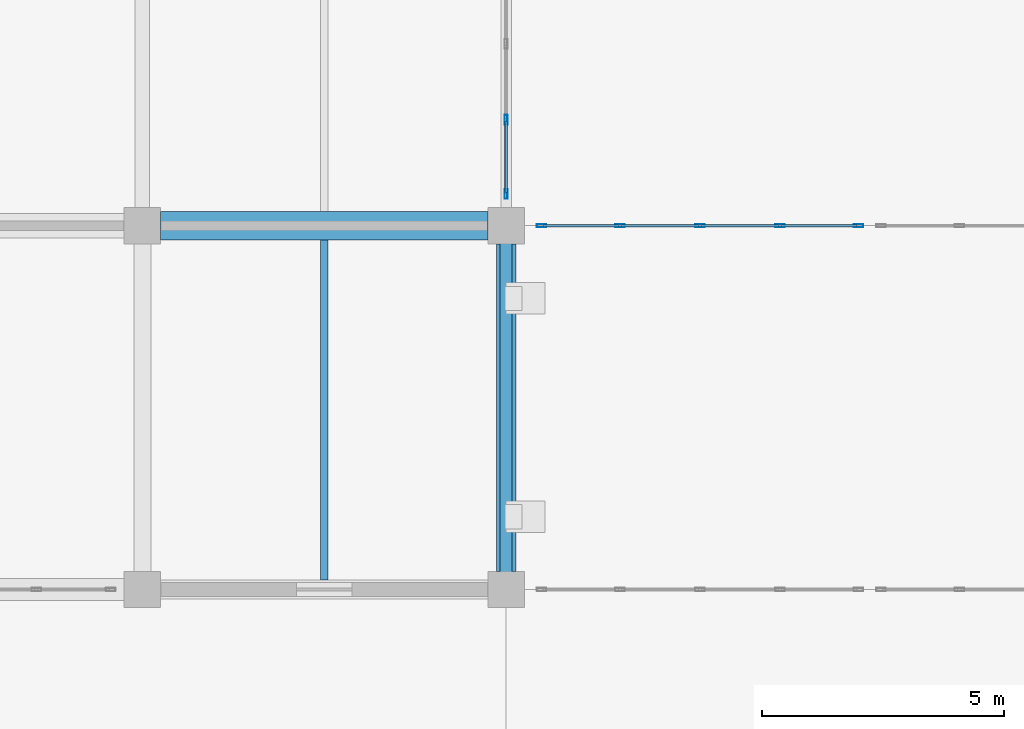
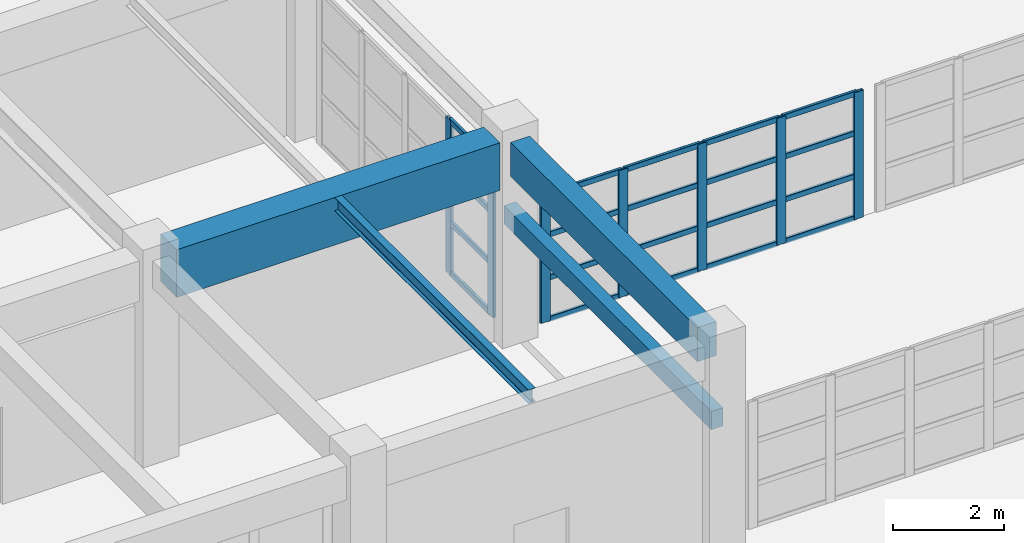
# One storey, part 37 of 122: 27 members, 4 beams, 2 elements without a shape of their own.
"""IFC4 building model written with IfcOpenShell, lengths in metres."""

import ifcopenshell
import ifcopenshell.guid

model = None  # the IFC model being written
_history = None  # IfcOwnerHistory: only IFC2X3 demands one
_inside = {}  # id of a spatial element -> (the spatial element, [elements in it])
_under = {}  # id of a project, library or spatial element -> (it, [spatial elements below it])
_declared = {}  # id of a project -> (the project, [libraries it declares])
_typed = {}  # id of a type object -> (the type object, [elements of that type])
_made_of = {}  # id of a material, layer set ... -> (it, [elements and type objects made of it])


def new_model(schema):
    """Start an empty IFC model of exactly this schema.

    Asked for "IFC4X3", IfcOpenShell would pick the latest addendum, in which some entities
    have other attributes; the version numbers below select the first issue.
    IFC2X3 requires an IfcOwnerHistory on every rooted entity: one is made here for all.
    """
    global model, _history
    if schema == "IFC4X3":
        model = ifcopenshell.file(schema_version=(4, 3, 0, 0))
    else:
        model = ifcopenshell.file(schema=schema)
    _inside.clear()
    _under.clear()
    _declared.clear()
    _typed.clear()
    _made_of.clear()
    _history = None
    if model.schema == "IFC2X3":
        org = make("IfcOrganization", Name="unknown")
        user = make(
            "IfcPersonAndOrganization",
            ThePerson=make("IfcPerson", FamilyName="unknown"),
            TheOrganization=org,
        )
        app = make(
            "IfcApplication",
            ApplicationDeveloper=org,
            Version="unknown",
            ApplicationFullName="unknown",
            ApplicationIdentifier="unknown",
        )
        _history = make(
            "IfcOwnerHistory",
            OwningUser=user,
            OwningApplication=app,
            ChangeAction="ADDED",
            CreationDate=0,
        )
    return model


def make(cls, **values):
    """One entity of the class cls with the attributes given. An attribute that is None is left unset."""
    return model.create_entity(
        cls, **{name: value for name, value in values.items() if value is not None}
    )


def rooted(cls, **values):
    """An entity with a GlobalId (a new one), such as an element, a storey or a relation."""
    return make(cls, GlobalId=ifcopenshell.guid.new(), OwnerHistory=_history, **values)


def si_unit(unit_type, name, prefix=None):
    """IfcSIUnit, for example si_unit("LENGTHUNIT", "METRE", prefix="MILLI")."""
    return make("IfcSIUnit", UnitType=unit_type, Prefix=prefix, Name=name)


def assignment(units):
    """IfcUnitAssignment: the units of a project."""
    return None if units is None else make("IfcUnitAssignment", Units=units)


def point(xyz):
    """IfcCartesianPoint."""
    return None if xyz is None else make("IfcCartesianPoint", Coordinates=xyz)


def direction(xyz):
    """IfcDirection."""
    return None if xyz is None else make("IfcDirection", DirectionRatios=xyz)


def frame(location, z_axis=None, x_axis=None):
    """IfcAxis2Placement3D, a coordinate frame: its origin and axes. An axis left out is left unset."""
    return make(
        "IfcAxis2Placement3D",
        Location=point(location),
        Axis=direction(z_axis),
        RefDirection=direction(x_axis),
    )


def frame_2d(location, x_axis=None):
    """IfcAxis2Placement2D, a coordinate frame in the plane: its origin and x axis."""
    return make(
        "IfcAxis2Placement2D", Location=point(location), RefDirection=direction(x_axis)
    )


def origin():
    """The frame at (0, 0, 0) with its axes left unset."""
    return frame((0.0, 0.0, 0.0))


def origin_2d():
    """The frame at (0, 0) in the plane with its x axis left unset."""
    return frame_2d((0.0, 0.0))


def place(relative_to, where):
    """IfcLocalPlacement: puts the frame where relative to a parent placement (None: the world)."""
    return make(
        "IfcLocalPlacement", PlacementRelTo=relative_to, RelativePlacement=where
    )


def context(
    kind, dimensions, precision=None, world=None, true_north=None, identifier=None
):
    """IfcGeometricRepresentationContext, for example the 3D "Model" context."""
    return make(
        "IfcGeometricRepresentationContext",
        ContextIdentifier=identifier,
        ContextType=kind,
        CoordinateSpaceDimension=dimensions,
        Precision=precision,
        WorldCoordinateSystem=world,
        TrueNorth=true_north,
    )


def subcontext(parent, identifier, kind, view, scale=None):
    """IfcGeometricRepresentationSubContext, for example "Body" below "Model"."""
    return make(
        "IfcGeometricRepresentationSubContext",
        ContextIdentifier=identifier,
        ContextType=kind,
        ParentContext=parent,
        TargetScale=scale,
        TargetView=view,
    )


def project(units=None, contexts=None):
    """IfcProject with its units and contexts."""
    return rooted(
        "IfcProject",
        Name="project",
        RepresentationContexts=contexts,
        UnitsInContext=assignment(units),
    )


def spatial(cls, under=None, at=None, **own):
    """A site, building, storey or space (cls), placed at a placement, below another one or the project."""
    s = rooted(cls, ObjectPlacement=at, **own)
    if under is not None:
        _under.setdefault(under.id(), (under, []))[1].append(s)
    return s


def profile(cls, at=None, kind="AREA", **sizes):
    """A parametric profile (cls). Its sizes go by their IFC names, for example OverallWidth=200.0."""
    return make(cls, ProfileType=kind, Position=at, **sizes)


def rectangle(**sizes):
    """IfcRectangleProfileDef."""
    return profile("IfcRectangleProfileDef", **sizes)


def hollow_rectangle(**sizes):
    """IfcRectangleHollowProfileDef."""
    return profile("IfcRectangleHollowProfileDef", **sizes)


def i_section(**sizes):
    """IfcIShapeProfileDef."""
    return profile("IfcIShapeProfileDef", **sizes)


def extrude(swept, where, along, depth):
    """IfcExtrudedAreaSolid: the profile swept, set in the frame where, extruded along a direction by depth."""
    return make(
        "IfcExtrudedAreaSolid",
        SweptArea=swept,
        Position=where,
        ExtrudedDirection=direction(along),
        Depth=depth,
    )


def shape(context_of_items, identifier, shape_type, items):
    """IfcShapeRepresentation: the items that make up one representation, for example the "Body"."""
    return make(
        "IfcShapeRepresentation",
        ContextOfItems=context_of_items,
        RepresentationIdentifier=identifier,
        RepresentationType=shape_type,
        Items=items,
    )


def material(Name=None, Category=None):
    """IfcMaterial."""
    return make("IfcMaterial", Name=Name, Category=Category)


def material_profile(
    of_material, cross_section, Name=None, Category=None, Priority=None
):
    """IfcMaterialProfile: a cross section and its material."""
    return make(
        "IfcMaterialProfile",
        Name=Name,
        Material=of_material,
        Profile=cross_section,
        Priority=Priority,
        Category=Category,
    )


def profile_set(profiles, Name=None, composite=None):
    """IfcMaterialProfileSet."""
    return make(
        "IfcMaterialProfileSet",
        Name=Name,
        MaterialProfiles=profiles,
        CompositeProfile=composite,
    )


def made_of(thing, what):
    """Note that an element or type object is made of a material, layer set ...; save() writes the relation."""
    if what is not None:
        _made_of.setdefault(what.id(), (what, []))[1].append(thing)
    return thing


def type_object(cls, material=None, **own):
    """A type object (cls), such as IfcWallType, which elements share."""
    return made_of(rooted(cls, **own), material)


def element(
    cls,
    number,
    at=None,
    inside=None,
    cuts=None,
    type_object=None,
    material=None,
    context=None,
    identifier="Body",
    shape_type=None,
    held_by="IfcProductDefinitionShape",
    body=None,
    shapes=None,
    **own,
):
    """One element of the class cls, such as IfcWall. Its Tag is "e" and its number.

    at: its placement. inside: the storey or other place that contains it. cuts: it is an
    opening in that element (IfcRelVoidsElement). A single representation is given by context,
    identifier, shape_type and body (its items); several are given by shapes. held_by: the class
    of the entity that holds the representations. save() writes the other relations.
    """
    e = rooted(cls, Tag="e%d" % number, ObjectPlacement=at, **own)
    if body is not None:
        shapes = [shape(context, identifier, shape_type, body)]
    if shapes is not None:
        e.Representation = make(held_by, Representations=shapes)
    if inside is not None:
        _inside.setdefault(inside.id(), (inside, []))[1].append(e)
    if cuts is not None:
        rooted(
            "IfcRelVoidsElement", RelatingBuildingElement=cuts, RelatedOpeningElement=e
        )
    if type_object is not None:
        _typed.setdefault(type_object.id(), (type_object, []))[1].append(e)
    return made_of(e, material)


def aggregate(whole, parts):
    """IfcRelAggregates: a whole, such as a stair, and the parts it consists of."""
    return rooted("IfcRelAggregates", RelatingObject=whole, RelatedObjects=parts)


def save(model, path):
    """Write the relations noted so far, then the file.

    IfcRelAggregates (storeys below a building ...), IfcRelContainedInSpatialStructure (elements
    in a storey), IfcRelDefinesByType, IfcRelAssociatesMaterial and IfcRelDeclares: one each for
    every whole, place, type object, material and project.
    """
    for whole, parts in _under.values():
        aggregate(whole, parts)
    for where, things in _inside.values():
        rooted(
            "IfcRelContainedInSpatialStructure",
            RelatedElements=things,
            RelatingStructure=where,
        )
    for kind, things in _typed.values():
        rooted("IfcRelDefinesByType", RelatedObjects=things, RelatingType=kind)
    for what, things in _made_of.values():
        rooted("IfcRelAssociatesMaterial", RelatedObjects=things, RelatingMaterial=what)
    for by, libraries in _declared.values():
        rooted("IfcRelDeclares", RelatingContext=by, RelatedDefinitions=libraries)
    model.write(path)


model = new_model("IFC4")

# Units and contexts
model_context = context("Model", 3, precision=1e-05, world=origin(), true_north=direction((0.0, 1.0)))
body_context = subcontext(model_context, "Body", "Model", "MODEL_VIEW")
ifc_project = project(units=[si_unit("LENGTHUNIT", "METRE"), si_unit("AREAUNIT", "SQUARE_METRE"), si_unit("VOLUMEUNIT", "CUBIC_METRE"), si_unit("PLANEANGLEUNIT", "RADIAN"), si_unit("MASSUNIT", "GRAM", prefix="KILO")], contexts=[model_context])

# Site, building, storey
site_placement = place(None, origin())
site = spatial("IfcSite", under=ifc_project, at=site_placement, CompositionType="ELEMENT")
building_placement = place(site_placement, origin())
building = spatial("IfcBuilding", under=site, at=building_placement, Name="Qasida Concert Hall", CompositionType="ELEMENT")
storey_placement = place(building_placement, origin())
storey = spatial("IfcBuildingStorey", under=building, at=storey_placement, Name="L00", CompositionType="ELEMENT", Elevation=0.0)

# Beams
ifc_material_1 = material(Name="Concrete C50/60", Category="concrete")
ifc_material_profile_1 = material_profile(ifc_material_1, rectangle(XDim=0.580078125, YDim=1.050048828125, at=origin_2d()), Name="RC 580x1050")
ifc_profile_set_1 = profile_set([ifc_material_profile_1], Name="Concrete C50/60")
beam_type_1 = type_object("IfcBeamType", Name="BM-G8", PredefinedType="USERDEFINED", material=ifc_profile_set_1)
beam_1_placement = place(storey_placement, frame((30.375, 82.5, 3.97509765625), z_axis=(1.0, 0.0, 0.0), x_axis=(0.0, 1.0, 0.0)))
element("IfcBeam", 1, at=beam_1_placement, inside=storey, type_object=beam_type_1, Name="Primary girder 0695", ObjectType="GIRDER", PredefinedType="USERDEFINED", context=body_context, shape_type="SweptSolid", body=[
    extrude(rectangle(XDim=0.580078125, YDim=1.050048828125, at=origin_2d()), origin(), (0.0, 0.0, 1.0), 6.75),
])
ifc_material_2 = material(Name="Steel S355J2", Category="steel")
ifc_material_profile_2 = material_profile(ifc_material_2, i_section(OverallWidth=0.14990234375, OverallDepth=0.300048828125, WebThickness=0.007080078125, FlangeThickness=0.0107421875, FilletRadius=0.014892578125, at=origin_2d()), Name="IPE 300")
ifc_profile_set_2 = profile_set([ifc_material_profile_2], Name="Steel S355J2")
beam_type_2 = type_object("IfcBeamType", Name="BM-J4", PredefinedType="JOIST", material=ifc_profile_set_2)
beam_2_placement = place(storey_placement, frame((33.75, 75.199951171875, 4.35009765625), z_axis=(0.0, 1.0, 0.0), x_axis=(-1.0, 0.0, 0.0)))
element("IfcBeam", 2, at=beam_2_placement, inside=storey, type_object=beam_type_2, Name="L00 secondary joist 0755", PredefinedType="JOIST", context=body_context, shape_type="SweptSolid", body=[
    extrude(i_section(OverallWidth=0.14990234375, OverallDepth=0.300048828125, WebThickness=0.007080078125, FlangeThickness=0.0107421875, FilletRadius=0.014892578125, at=origin_2d()), origin(), (0.0, 0.0, 1.0), 7.010009765625),
])
ifc_material_3 = material(Name="Concrete C40/50", Category="concrete")
ifc_material_profile_3 = material_profile(ifc_material_3, rectangle(XDim=0.25, YDim=0.39990234375, at=origin_2d()), Name="RC 250x400")
ifc_profile_set_3 = profile_set([ifc_material_profile_3], Name="Concrete C40/50")
beam_type_3 = type_object("IfcBeamType", Name="BM-LN1", PredefinedType="LINTEL", material=ifc_profile_set_3)
beam_3_placement = place(storey_placement, frame((37.5, 75.0, 2.64990234375), z_axis=(0.0, 1.0, 0.0), x_axis=(-1.0, 0.0, 0.0)))
element("IfcBeam", 3, at=beam_3_placement, inside=storey, type_object=beam_type_3, Name="L00 portal lintel beam 005", PredefinedType="LINTEL", context=body_context, shape_type="SweptSolid", body=[
    extrude(rectangle(XDim=0.25, YDim=0.39990234375, at=origin_2d()), origin(), (0.0, 0.0, 1.0), 7.5),
])
ifc_material_profile_4 = material_profile(ifc_material_3, rectangle(XDim=0.39990234375, YDim=0.75, at=origin_2d()), Name="RC 400x750")
ifc_profile_set_4 = profile_set([ifc_material_profile_4], Name="Concrete C40/50")
beam_type_4 = type_object("IfcBeamType", Name="BM-SP1", PredefinedType="SPANDREL", material=ifc_profile_set_4)
beam_4_placement = place(storey_placement, frame((37.5, 75.375, 4.125), z_axis=(0.0, 1.0, 0.0), x_axis=(-1.0, 0.0, 0.0)))
element("IfcBeam", 4, at=beam_4_placement, inside=storey, type_object=beam_type_4, Name="L00 girder 0732", PredefinedType="SPANDREL", context=body_context, shape_type="SweptSolid", body=[
    extrude(rectangle(XDim=0.39990234375, YDim=0.75, at=origin_2d()), origin(), (0.0, 0.0, 1.0), 6.75),
])

# Curtain wall, members
ifc_material_4 = material(Name="Architectural bronze-anodized aluminium and low-E glass", Category="aluminium")
curtain_wall_type = type_object("IfcCurtainWallType", Name="CW-08", PredefinedType="NOTDEFINED", material=ifc_material_4)
curtain_wall_1_placement = place(storey_placement, origin())
curtain_wall_1 = element("IfcCurtainWall", 5, at=curtain_wall_1_placement, inside=storey, type_object=curtain_wall_type, Name="L00 curtain wall CW-08 0182", PredefinedType="NOTDEFINED")
ifc_material_5 = material(Name="Architectural bronze-anodized aluminium EN AW-6063", Category="aluminium")
ifc_material_profile_5 = material_profile(ifc_material_5, hollow_rectangle(XDim=0.06494140625, YDim=0.199951171875, WallThickness=0.0048828125, InnerFilletRadius=0.0048828125, OuterFilletRadius=0.010009765625, at=origin_2d()), Name="CWM 200x65x5")
ifc_profile_set_5 = profile_set([ifc_material_profile_5], Name="Architectural bronze-anodized aluminium EN AW-6063")
member_type_1 = type_object("IfcMemberType", Name="MB-CWM-2", PredefinedType="MULLION", material=ifc_profile_set_5)
member_1_placement = place(storey_placement, frame((37.5, 83.152587890625, 0.0), z_axis=(0.0, 0.0, 1.0), x_axis=(-1.0, 0.0, 0.0)))
member_1 = element("IfcMember", 6, at=member_1_placement, type_object=member_type_1, Name="CW-08 mullion 1", PredefinedType="MULLION", context=body_context, shape_type="SweptSolid", body=[
    extrude(hollow_rectangle(XDim=0.06494140625, YDim=0.199951171875, WallThickness=0.0048828125, InnerFilletRadius=0.0048828125, OuterFilletRadius=0.010009765625, at=origin_2d()), origin(), (0.0, 0.0, 1.0), 3.419921875),
])
member_2_placement = place(storey_placement, frame((37.5, 84.68505859375, 0.0), z_axis=(0.0, 0.0, 1.0), x_axis=(-1.0, 0.0, 0.0)))
member_2 = element("IfcMember", 7, at=member_2_placement, type_object=member_type_1, Name="CW-08 mullion 2", PredefinedType="MULLION", context=body_context, shape_type="SweptSolid", body=[
    extrude(hollow_rectangle(XDim=0.06494140625, YDim=0.199951171875, WallThickness=0.0048828125, InnerFilletRadius=0.0048828125, OuterFilletRadius=0.010009765625, at=origin_2d()), origin(), (0.0, 0.0, 1.0), 3.419921875),
])

curtain_wall_2_placement = place(storey_placement, origin())
curtain_wall_2 = element("IfcCurtainWall", 8, at=curtain_wall_2_placement, inside=storey, type_object=curtain_wall_type, Name="L00 link bridge glazing 0211", PredefinedType="NOTDEFINED")
member_3_placement = place(storey_placement, frame((38.232421875, 82.5, 0.0), z_axis=(0.0, 0.0, 1.0), x_axis=(0.0, 1.0, 0.0)))
member_3 = element("IfcMember", 9, at=member_3_placement, type_object=member_type_1, Name="CW-08 mullion 1", PredefinedType="MULLION", context=body_context, shape_type="SweptSolid", body=[
    extrude(hollow_rectangle(XDim=0.06494140625, YDim=0.199951171875, WallThickness=0.0048828125, InnerFilletRadius=0.0048828125, OuterFilletRadius=0.010009765625, at=origin_2d()), origin(), (0.0, 0.0, 1.0), 2.800048828125),
])
member_4_placement = place(storey_placement, frame((39.85009765625, 82.5, 0.0), z_axis=(0.0, 0.0, 1.0), x_axis=(0.0, 1.0, 0.0)))
member_4 = element("IfcMember", 10, at=member_4_placement, type_object=member_type_1, Name="CW-08 mullion 2", PredefinedType="MULLION", context=body_context, shape_type="SweptSolid", body=[
    extrude(hollow_rectangle(XDim=0.06494140625, YDim=0.199951171875, WallThickness=0.0048828125, InnerFilletRadius=0.0048828125, OuterFilletRadius=0.010009765625, at=origin_2d()), origin(), (0.0, 0.0, 1.0), 2.800048828125),
])
member_5_placement = place(storey_placement, frame((41.5, 82.5, 0.0), z_axis=(0.0, 0.0, 1.0), x_axis=(0.0, 1.0, 0.0)))
member_5 = element("IfcMember", 11, at=member_5_placement, type_object=member_type_1, Name="CW-08 mullion 3", PredefinedType="MULLION", context=body_context, shape_type="SweptSolid", body=[
    extrude(hollow_rectangle(XDim=0.06494140625, YDim=0.199951171875, WallThickness=0.0048828125, InnerFilletRadius=0.0048828125, OuterFilletRadius=0.010009765625, at=origin_2d()), origin(), (0.0, 0.0, 1.0), 2.800048828125),
])
member_6_placement = place(storey_placement, frame((43.14990234375, 82.5, 0.0), z_axis=(0.0, 0.0, 1.0), x_axis=(0.0, 1.0, 0.0)))
member_6 = element("IfcMember", 12, at=member_6_placement, type_object=member_type_1, Name="CW-08 mullion 4", PredefinedType="MULLION", context=body_context, shape_type="SweptSolid", body=[
    extrude(hollow_rectangle(XDim=0.06494140625, YDim=0.199951171875, WallThickness=0.0048828125, InnerFilletRadius=0.0048828125, OuterFilletRadius=0.010009765625, at=origin_2d()), origin(), (0.0, 0.0, 1.0), 2.800048828125),
])
member_7_placement = place(storey_placement, frame((44.767578125, 82.5, 0.0), z_axis=(0.0, 0.0, 1.0), x_axis=(0.0, 1.0, 0.0)))
member_7 = element("IfcMember", 13, at=member_7_placement, type_object=member_type_1, Name="CW-08 mullion 5", PredefinedType="MULLION", context=body_context, shape_type="SweptSolid", body=[
    extrude(hollow_rectangle(XDim=0.06494140625, YDim=0.199951171875, WallThickness=0.0048828125, InnerFilletRadius=0.0048828125, OuterFilletRadius=0.010009765625, at=origin_2d()), origin(), (0.0, 0.0, 1.0), 2.800048828125),
])

# Member
ifc_material_profile_6 = material_profile(ifc_material_5, hollow_rectangle(XDim=0.06005859375, YDim=0.1201171875, WallThickness=0.00390625, InnerFilletRadius=0.00390625, OuterFilletRadius=0.008056640625, at=origin_2d()), Name="CWT 120x60x4")
ifc_profile_set_6 = profile_set([ifc_material_profile_6], Name="Architectural bronze-anodized aluminium EN AW-6063")
member_type_2 = type_object("IfcMemberType", Name="MB-CWT-2", PredefinedType="USERDEFINED", material=ifc_profile_set_6)
member_8_placement = place(storey_placement, frame((37.5, 83.18505859375, 0.030029296875), z_axis=(0.0, 1.0, 0.0), x_axis=(-1.0, 0.0, 0.0)))
member_8 = element("IfcMember", 14, at=member_8_placement, type_object=member_type_2, Name="CW-08 transom 1.1", ObjectType="TRANSOM", PredefinedType="USERDEFINED", context=body_context, shape_type="SweptSolid", body=[
    extrude(hollow_rectangle(XDim=0.06005859375, YDim=0.1201171875, WallThickness=0.00390625, InnerFilletRadius=0.00390625, OuterFilletRadius=0.008056640625, at=origin_2d()), origin(), (0.0, 0.0, 1.0), 1.467529296875),
])

member_9_placement = place(storey_placement, frame((37.5, 83.18505859375, 1.139892578125), z_axis=(0.0, 1.0, 0.0), x_axis=(-1.0, 0.0, 0.0)))
member_9 = element("IfcMember", 15, at=member_9_placement, type_object=member_type_2, Name="CW-08 transom 1.2", ObjectType="TRANSOM", PredefinedType="USERDEFINED", context=body_context, shape_type="SweptSolid", body=[
    extrude(hollow_rectangle(XDim=0.06005859375, YDim=0.1201171875, WallThickness=0.00390625, InnerFilletRadius=0.00390625, OuterFilletRadius=0.008056640625, at=origin_2d()), origin(), (0.0, 0.0, 1.0), 1.467529296875),
])

member_10_placement = place(storey_placement, frame((37.5, 83.18505859375, 2.280029296875), z_axis=(0.0, 1.0, 0.0), x_axis=(-1.0, 0.0, 0.0)))
member_10 = element("IfcMember", 16, at=member_10_placement, type_object=member_type_2, Name="CW-08 transom 1.3", ObjectType="TRANSOM", PredefinedType="USERDEFINED", context=body_context, shape_type="SweptSolid", body=[
    extrude(hollow_rectangle(XDim=0.06005859375, YDim=0.1201171875, WallThickness=0.00390625, InnerFilletRadius=0.00390625, OuterFilletRadius=0.008056640625, at=origin_2d()), origin(), (0.0, 0.0, 1.0), 1.467529296875),
])

member_11_placement = place(storey_placement, frame((37.5, 83.18505859375, 3.389892578125), z_axis=(0.0, 1.0, 0.0), x_axis=(-1.0, 0.0, 0.0)))
member_11 = element("IfcMember", 17, at=member_11_placement, type_object=member_type_2, Name="CW-08 transom 1.4", ObjectType="TRANSOM", PredefinedType="USERDEFINED", context=body_context, shape_type="SweptSolid", body=[
    extrude(hollow_rectangle(XDim=0.06005859375, YDim=0.1201171875, WallThickness=0.00390625, InnerFilletRadius=0.00390625, OuterFilletRadius=0.008056640625, at=origin_2d()), origin(), (0.0, 0.0, 1.0), 1.467529296875),
])

aggregate(curtain_wall_1, [member_1, member_2, member_8, member_9, member_10, member_11])

member_12_placement = place(storey_placement, frame((38.264892578125, 82.5, 0.030029296875), z_axis=(1.0, 0.0, 0.0), x_axis=(0.0, 1.0, 0.0)))
member_12 = element("IfcMember", 18, at=member_12_placement, type_object=member_type_2, Name="CW-08 transom 1.1", ObjectType="TRANSOM", PredefinedType="USERDEFINED", context=body_context, shape_type="SweptSolid", body=[
    extrude(hollow_rectangle(XDim=0.06005859375, YDim=0.1201171875, WallThickness=0.00390625, InnerFilletRadius=0.00390625, OuterFilletRadius=0.008056640625, at=origin_2d()), origin(), (0.0, 0.0, 1.0), 1.552490234375),
])

member_13_placement = place(storey_placement, frame((38.264892578125, 82.5, 0.949951171875), z_axis=(1.0, 0.0, 0.0), x_axis=(0.0, 1.0, 0.0)))
member_13 = element("IfcMember", 19, at=member_13_placement, type_object=member_type_2, Name="CW-08 transom 1.2", ObjectType="TRANSOM", PredefinedType="USERDEFINED", context=body_context, shape_type="SweptSolid", body=[
    extrude(hollow_rectangle(XDim=0.06005859375, YDim=0.1201171875, WallThickness=0.00390625, InnerFilletRadius=0.00390625, OuterFilletRadius=0.008056640625, at=origin_2d()), origin(), (0.0, 0.0, 1.0), 1.552490234375),
])

member_14_placement = place(storey_placement, frame((38.264892578125, 82.5, 1.89990234375), z_axis=(1.0, 0.0, 0.0), x_axis=(0.0, 1.0, 0.0)))
member_14 = element("IfcMember", 20, at=member_14_placement, type_object=member_type_2, Name="CW-08 transom 1.3", ObjectType="TRANSOM", PredefinedType="USERDEFINED", context=body_context, shape_type="SweptSolid", body=[
    extrude(hollow_rectangle(XDim=0.06005859375, YDim=0.1201171875, WallThickness=0.00390625, InnerFilletRadius=0.00390625, OuterFilletRadius=0.008056640625, at=origin_2d()), origin(), (0.0, 0.0, 1.0), 1.552490234375),
])

member_15_placement = place(storey_placement, frame((38.264892578125, 82.5, 2.77001953125), z_axis=(1.0, 0.0, 0.0), x_axis=(0.0, 1.0, 0.0)))
member_15 = element("IfcMember", 21, at=member_15_placement, type_object=member_type_2, Name="CW-08 transom 1.4", ObjectType="TRANSOM", PredefinedType="USERDEFINED", context=body_context, shape_type="SweptSolid", body=[
    extrude(hollow_rectangle(XDim=0.06005859375, YDim=0.1201171875, WallThickness=0.00390625, InnerFilletRadius=0.00390625, OuterFilletRadius=0.008056640625, at=origin_2d()), origin(), (0.0, 0.0, 1.0), 1.552490234375),
])

member_16_placement = place(storey_placement, frame((39.882568359375, 82.5, 0.030029296875), z_axis=(1.0, 0.0, 0.0), x_axis=(0.0, 1.0, 0.0)))
member_16 = element("IfcMember", 22, at=member_16_placement, type_object=member_type_2, Name="CW-08 transom 2.1", ObjectType="TRANSOM", PredefinedType="USERDEFINED", context=body_context, shape_type="SweptSolid", body=[
    extrude(hollow_rectangle(XDim=0.06005859375, YDim=0.1201171875, WallThickness=0.00390625, InnerFilletRadius=0.00390625, OuterFilletRadius=0.008056640625, at=origin_2d()), origin(), (0.0, 0.0, 1.0), 1.5849609375),
])

member_17_placement = place(storey_placement, frame((39.882568359375, 82.5, 0.949951171875), z_axis=(1.0, 0.0, 0.0), x_axis=(0.0, 1.0, 0.0)))
member_17 = element("IfcMember", 23, at=member_17_placement, type_object=member_type_2, Name="CW-08 transom 2.2", ObjectType="TRANSOM", PredefinedType="USERDEFINED", context=body_context, shape_type="SweptSolid", body=[
    extrude(hollow_rectangle(XDim=0.06005859375, YDim=0.1201171875, WallThickness=0.00390625, InnerFilletRadius=0.00390625, OuterFilletRadius=0.008056640625, at=origin_2d()), origin(), (0.0, 0.0, 1.0), 1.5849609375),
])

member_18_placement = place(storey_placement, frame((39.882568359375, 82.5, 1.89990234375), z_axis=(1.0, 0.0, 0.0), x_axis=(0.0, 1.0, 0.0)))
member_18 = element("IfcMember", 24, at=member_18_placement, type_object=member_type_2, Name="CW-08 transom 2.3", ObjectType="TRANSOM", PredefinedType="USERDEFINED", context=body_context, shape_type="SweptSolid", body=[
    extrude(hollow_rectangle(XDim=0.06005859375, YDim=0.1201171875, WallThickness=0.00390625, InnerFilletRadius=0.00390625, OuterFilletRadius=0.008056640625, at=origin_2d()), origin(), (0.0, 0.0, 1.0), 1.5849609375),
])

member_19_placement = place(storey_placement, frame((39.882568359375, 82.5, 2.77001953125), z_axis=(1.0, 0.0, 0.0), x_axis=(0.0, 1.0, 0.0)))
member_19 = element("IfcMember", 25, at=member_19_placement, type_object=member_type_2, Name="CW-08 transom 2.4", ObjectType="TRANSOM", PredefinedType="USERDEFINED", context=body_context, shape_type="SweptSolid", body=[
    extrude(hollow_rectangle(XDim=0.06005859375, YDim=0.1201171875, WallThickness=0.00390625, InnerFilletRadius=0.00390625, OuterFilletRadius=0.008056640625, at=origin_2d()), origin(), (0.0, 0.0, 1.0), 1.5849609375),
])

member_20_placement = place(storey_placement, frame((41.532470703125, 82.5, 0.030029296875), z_axis=(1.0, 0.0, 0.0), x_axis=(0.0, 1.0, 0.0)))
member_20 = element("IfcMember", 26, at=member_20_placement, type_object=member_type_2, Name="CW-08 transom 3.1", ObjectType="TRANSOM", PredefinedType="USERDEFINED", context=body_context, shape_type="SweptSolid", body=[
    extrude(hollow_rectangle(XDim=0.06005859375, YDim=0.1201171875, WallThickness=0.00390625, InnerFilletRadius=0.00390625, OuterFilletRadius=0.008056640625, at=origin_2d()), origin(), (0.0, 0.0, 1.0), 1.5849609375),
])

member_21_placement = place(storey_placement, frame((41.532470703125, 82.5, 0.949951171875), z_axis=(1.0, 0.0, 0.0), x_axis=(0.0, 1.0, 0.0)))
member_21 = element("IfcMember", 27, at=member_21_placement, type_object=member_type_2, Name="CW-08 transom 3.2", ObjectType="TRANSOM", PredefinedType="USERDEFINED", context=body_context, shape_type="SweptSolid", body=[
    extrude(hollow_rectangle(XDim=0.06005859375, YDim=0.1201171875, WallThickness=0.00390625, InnerFilletRadius=0.00390625, OuterFilletRadius=0.008056640625, at=origin_2d()), origin(), (0.0, 0.0, 1.0), 1.5849609375),
])

member_22_placement = place(storey_placement, frame((41.532470703125, 82.5, 1.89990234375), z_axis=(1.0, 0.0, 0.0), x_axis=(0.0, 1.0, 0.0)))
member_22 = element("IfcMember", 28, at=member_22_placement, type_object=member_type_2, Name="CW-08 transom 3.3", ObjectType="TRANSOM", PredefinedType="USERDEFINED", context=body_context, shape_type="SweptSolid", body=[
    extrude(hollow_rectangle(XDim=0.06005859375, YDim=0.1201171875, WallThickness=0.00390625, InnerFilletRadius=0.00390625, OuterFilletRadius=0.008056640625, at=origin_2d()), origin(), (0.0, 0.0, 1.0), 1.5849609375),
])

member_23_placement = place(storey_placement, frame((41.532470703125, 82.5, 2.77001953125), z_axis=(1.0, 0.0, 0.0), x_axis=(0.0, 1.0, 0.0)))
member_23 = element("IfcMember", 29, at=member_23_placement, type_object=member_type_2, Name="CW-08 transom 3.4", ObjectType="TRANSOM", PredefinedType="USERDEFINED", context=body_context, shape_type="SweptSolid", body=[
    extrude(hollow_rectangle(XDim=0.06005859375, YDim=0.1201171875, WallThickness=0.00390625, InnerFilletRadius=0.00390625, OuterFilletRadius=0.008056640625, at=origin_2d()), origin(), (0.0, 0.0, 1.0), 1.5849609375),
])

member_24_placement = place(storey_placement, frame((43.1826171875, 82.5, 0.030029296875), z_axis=(1.0, 0.0, 0.0), x_axis=(0.0, 1.0, 0.0)))
member_24 = element("IfcMember", 30, at=member_24_placement, type_object=member_type_2, Name="CW-08 transom 4.1", ObjectType="TRANSOM", PredefinedType="USERDEFINED", context=body_context, shape_type="SweptSolid", body=[
    extrude(hollow_rectangle(XDim=0.06005859375, YDim=0.1201171875, WallThickness=0.00390625, InnerFilletRadius=0.00390625, OuterFilletRadius=0.008056640625, at=origin_2d()), origin(), (0.0, 0.0, 1.0), 1.552490234375),
])

member_25_placement = place(storey_placement, frame((43.1826171875, 82.5, 0.949951171875), z_axis=(1.0, 0.0, 0.0), x_axis=(0.0, 1.0, 0.0)))
member_25 = element("IfcMember", 31, at=member_25_placement, type_object=member_type_2, Name="CW-08 transom 4.2", ObjectType="TRANSOM", PredefinedType="USERDEFINED", context=body_context, shape_type="SweptSolid", body=[
    extrude(hollow_rectangle(XDim=0.06005859375, YDim=0.1201171875, WallThickness=0.00390625, InnerFilletRadius=0.00390625, OuterFilletRadius=0.008056640625, at=origin_2d()), origin(), (0.0, 0.0, 1.0), 1.552490234375),
])

member_26_placement = place(storey_placement, frame((43.1826171875, 82.5, 1.89990234375), z_axis=(1.0, 0.0, 0.0), x_axis=(0.0, 1.0, 0.0)))
member_26 = element("IfcMember", 32, at=member_26_placement, type_object=member_type_2, Name="CW-08 transom 4.3", ObjectType="TRANSOM", PredefinedType="USERDEFINED", context=body_context, shape_type="SweptSolid", body=[
    extrude(hollow_rectangle(XDim=0.06005859375, YDim=0.1201171875, WallThickness=0.00390625, InnerFilletRadius=0.00390625, OuterFilletRadius=0.008056640625, at=origin_2d()), origin(), (0.0, 0.0, 1.0), 1.552490234375),
])

member_27_placement = place(storey_placement, frame((43.1826171875, 82.5, 2.77001953125), z_axis=(1.0, 0.0, 0.0), x_axis=(0.0, 1.0, 0.0)))
member_27 = element("IfcMember", 33, at=member_27_placement, type_object=member_type_2, Name="CW-08 transom 4.4", ObjectType="TRANSOM", PredefinedType="USERDEFINED", context=body_context, shape_type="SweptSolid", body=[
    extrude(hollow_rectangle(XDim=0.06005859375, YDim=0.1201171875, WallThickness=0.00390625, InnerFilletRadius=0.00390625, OuterFilletRadius=0.008056640625, at=origin_2d()), origin(), (0.0, 0.0, 1.0), 1.552490234375),
])

aggregate(curtain_wall_2, [member_3, member_4, member_5, member_6, member_7, member_12, member_13, member_14, member_15, member_16, member_17, member_18, member_19, member_20, member_21, member_22, member_23, member_24, member_25, member_26, member_27])

save(model, "model.ifc")
